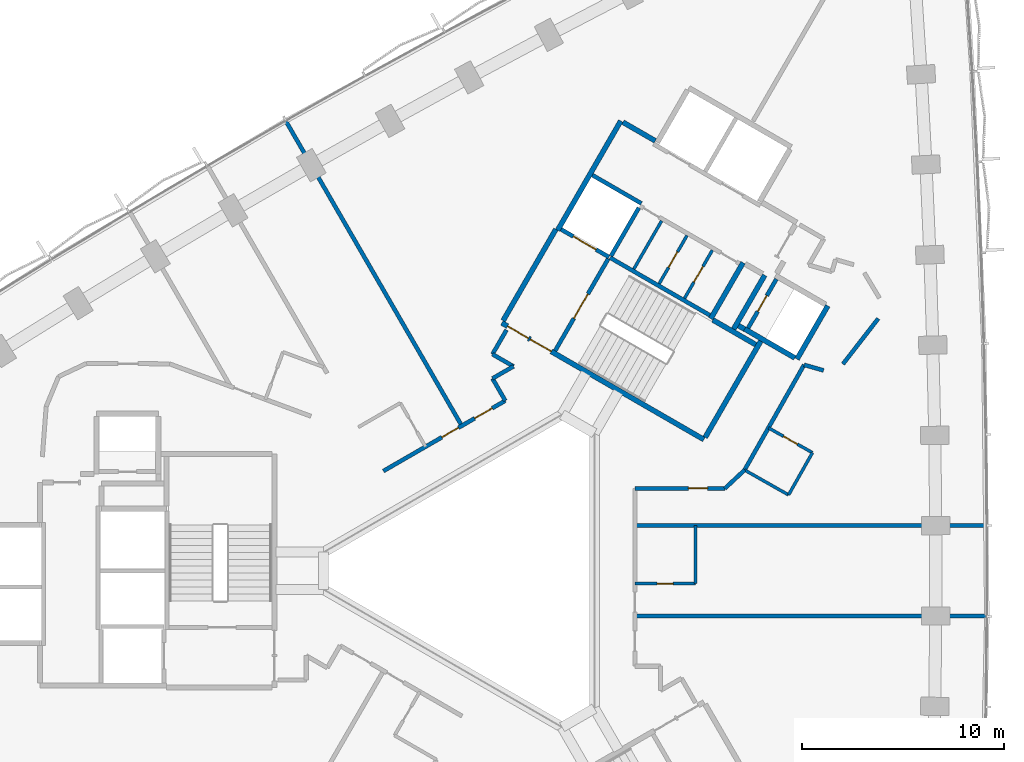
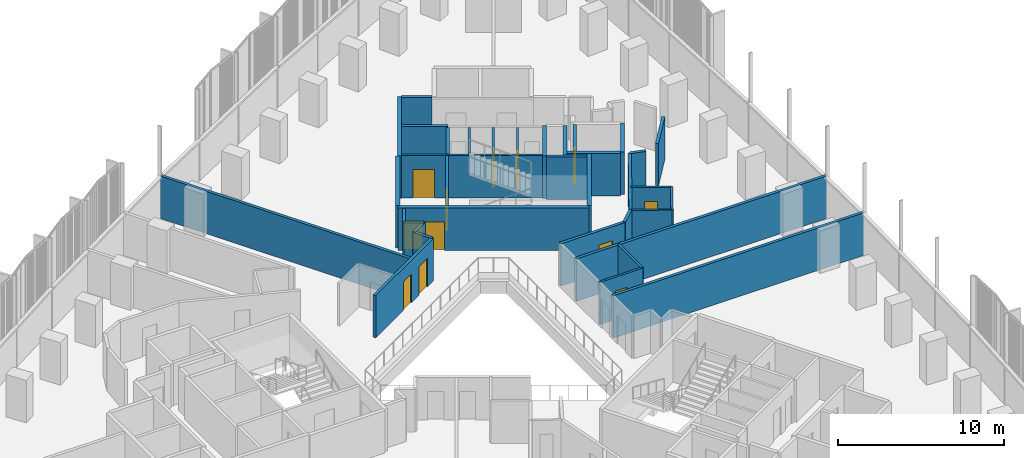
# One storey, part 12 of 16: 38 walls, 12 doors, 12 openings.
"""IFC4 building model written with IfcOpenShell, lengths in metres."""

from ifc_helpers import new_model, si_unit, direction, frame, frame_2d, origin, place, context, subcontext, project, spatial, rectangle, extrude, material, layer, layer_set, type_object, element, fill, save


model = new_model("IFC4")

# Units and contexts
model_context = context("Model", 3, precision=1e-05, world=origin(), true_north=direction((0.0, 1.0)))
body_context = subcontext(model_context, "Body", "Model", "MODEL_VIEW")
ifc_project = project(units=[si_unit("LENGTHUNIT", "METRE"), si_unit("AREAUNIT", "SQUARE_METRE"), si_unit("VOLUMEUNIT", "CUBIC_METRE"), si_unit("PLANEANGLEUNIT", "RADIAN"), si_unit("MASSUNIT", "GRAM", prefix="KILO")], contexts=[model_context])

# Site, building, storey
site_placement = place(None, origin())
site = spatial("IfcSite", under=ifc_project, at=site_placement, CompositionType="ELEMENT")
building_placement = place(site_placement, origin())
building = spatial("IfcBuilding", under=site, at=building_placement, Name="Tamra Quay Hotel Tower", CompositionType="ELEMENT")
storey_placement = place(building_placement, frame((0.0, 0.0, 45.800048828125)))
storey = spatial("IfcBuildingStorey", under=building, at=storey_placement, Name="L09", CompositionType="ELEMENT", Elevation=45.800048828125)

# Wall
ifc_material_1 = material(Name="Concrete M70", Category="concrete")
ifc_layer_1 = layer(ifc_material_1, 0.199951171875)
ifc_layer_set_1 = layer_set([ifc_layer_1], Name="Concrete M70 core wall 200")
wall_type_1 = type_object("IfcWallType", Name="Concrete M70 core wall 200", PredefinedType="SHEAR", material=ifc_layer_set_1)
wall_1_placement = place(storey_placement, frame((5.774658203125, 15.501953125, 0.0), z_axis=(0.0, 0.0, 1.0), x_axis=(0.866020080793, -0.500009219579, 0.0)))
element("IfcWall", 1, at=wall_1_placement, inside=storey, type_object=wall_type_1, Name="CW2", PredefinedType="SHEAR", context=body_context, shape_type="SweptSolid", body=[
    extrude(rectangle(XDim=5.69921875, YDim=0.199951171875, at=frame_2d((2.849609375, 0.0))), origin(), (0.0, 0.0, 1.0), 3.125),
])

# Wall, opening, door
wall_2_placement = place(storey_placement, frame((3.056640625, 10.89453125, 0.0), z_axis=(0.0, 0.0, 1.0), x_axis=(0.499989418164, 0.866031513124, 0.0)))
wall_2 = element("IfcWall", 2, at=wall_2_placement, inside=storey, type_object=wall_type_1, Name="CW2", PredefinedType="SHEAR", context=body_context, shape_type="SweptSolid", body=[
    extrude(rectangle(XDim=5.2509765625, YDim=0.199951171875, at=frame_2d((2.62548828125, 0.0))), origin(), (0.0, 0.0, 1.0), 3.125),
])
opening_1_placement = place(wall_2_placement, frame((1.84912109375, 0.0, 0.0)))
opening_1 = element("IfcOpeningElement", 3, at=opening_1_placement, cuts=wall_2, Name="Opening FD2", PredefinedType="OPENING", context=body_context, shape_type="SweptSolid", body=[
    extrude(rectangle(XDim=1.39990234375, YDim=2.10009765625, at=frame_2d((0.699951171875, 1.050048828125))), frame((0.0, 0.10986328125, 0.0), z_axis=(0.0, -1.0, 0.0), x_axis=(1.0, 0.0, 0.0)), (0.0, 0.0, 1.0), 0.219970703125),
])
ifc_material_2 = material(Name="Core door FD2 1400x2100 RH")
door_type_1 = type_object("IfcDoorType", Name="Core door FD2 1400x2100 RH", OperationType="NOTDEFINED", PredefinedType="DOOR", material=ifc_material_2)
door_1_placement = place(opening_1_placement, origin())
door_1 = element("IfcDoor", 4, at=door_1_placement, inside=storey, type_object=door_type_1, Name="FD2", OperationType="SINGLE_SWING_RIGHT", OverallHeight=2.10009765625, OverallWidth=1.39990234375, PredefinedType="DOOR", context=body_context, shape_type="SweptSolid", body=[
    extrude(rectangle(XDim=1.39990234375, YDim=2.10009765625, at=frame_2d((0.699951171875, 1.050048828125))), frame((0.0, 0.02490234375, 0.0), z_axis=(0.0, -1.0, 0.0), x_axis=(1.0, 0.0, 0.0)), (0.0, 0.0, 1.0), 0.050048828125),
])
fill(opening_1, door_1)

wall_3_placement = place(storey_placement, frame((14.0078125, 14.442138671875, 0.0), z_axis=(0.0, 0.0, 1.0), x_axis=(-0.499986818241, -0.866033014143, 0.0)))
wall_3 = element("IfcWall", 5, at=wall_3_placement, inside=storey, type_object=wall_type_1, Name="CW2", PredefinedType="SHEAR", context=body_context, shape_type="SweptSolid", body=[
    extrude(rectangle(XDim=2.7978515625, YDim=0.199951171875, at=frame_2d((1.39892578125, 0.0))), origin(), (0.0, 0.0, 1.0), 3.125),
])
opening_2_placement = place(wall_3_placement, frame((0.948974609375, 0.0, 0.0)))
opening_2 = element("IfcOpeningElement", 6, at=opening_2_placement, cuts=wall_3, Name="Opening D1", PredefinedType="OPENING", context=body_context, shape_type="SweptSolid", body=[
    extrude(rectangle(XDim=0.89990234375, YDim=2.10009765625, at=frame_2d((0.449951171875, 1.050048828125))), frame((0.0, 0.10986328125, 0.0), z_axis=(0.0, -1.0, 0.0), x_axis=(1.0, 0.0, 0.0)), (0.0, 0.0, 1.0), 0.219970703125),
])
ifc_material_3 = material(Name="Core door D1 900x2100 LH")
door_type_2 = type_object("IfcDoorType", Name="Core door D1 900x2100 LH", OperationType="NOTDEFINED", PredefinedType="DOOR", material=ifc_material_3)
door_2_placement = place(opening_2_placement, origin())
door_2 = element("IfcDoor", 7, at=door_2_placement, inside=storey, type_object=door_type_2, Name="D1", OperationType="SINGLE_SWING_LEFT", OverallHeight=2.10009765625, OverallWidth=0.89990234375, PredefinedType="DOOR", context=body_context, shape_type="SweptSolid", body=[
    extrude(rectangle(XDim=0.89990234375, YDim=2.10009765625, at=frame_2d((0.449951171875, 1.050048828125))), frame((0.0, 0.02490234375, 0.0), z_axis=(0.0, -1.0, 0.0), x_axis=(1.0, 0.0, 0.0)), (0.0, 0.0, 1.0), 0.050048828125),
])
fill(opening_2, door_2)

# Wall
wall_4_placement = place(storey_placement, frame((7.199462890625, 17.969970703125, 0.0), z_axis=(0.0, 0.0, 1.0), x_axis=(-0.499968400327, -0.866043647095, 0.0)))
element("IfcWall", 8, at=wall_4_placement, inside=storey, type_object=wall_type_1, Name="CW2", PredefinedType="SHEAR", context=body_context, shape_type="SweptSolid", body=[
    extrude(rectangle(XDim=2.749755859375, YDim=0.199951171875, at=frame_2d((1.375, 0.0))), origin(), (0.0, 0.0, 1.0), 3.125),
])

# Wall, opening, door
wall_5_placement = place(storey_placement, frame((5.72509765625, 15.530517578125, 0.0), z_axis=(0.0, 0.0, 1.0), x_axis=(-0.866037306777, 0.499979382845, 0.0)))
wall_5 = element("IfcWall", 9, at=wall_5_placement, inside=storey, type_object=wall_type_1, Name="CW2", PredefinedType="SHEAR", context=body_context, shape_type="SweptSolid", body=[
    extrude(rectangle(XDim=2.74169921875, YDim=0.199951171875, at=frame_2d((1.370849609375, 0.0))), origin(), (0.0, 0.0, 1.0), 3.125),
])
opening_3_placement = place(wall_5_placement, frame((0.742919921875, 0.0, 0.0)))
opening_3 = element("IfcOpeningElement", 10, at=opening_3_placement, cuts=wall_5, Name="Opening LD", PredefinedType="OPENING", context=body_context, shape_type="SweptSolid", body=[
    extrude(rectangle(XDim=1.300048828125, YDim=2.10009765625, at=frame_2d((0.64990234375, 1.050048828125))), frame((0.0, 0.10986328125, 0.0), z_axis=(0.0, -1.0, 0.0), x_axis=(1.0, 0.0, 0.0)), (0.0, 0.0, 1.0), 0.219970703125),
])
ifc_material_4 = material(Name="Landing door LD 1300 sliding to right")
door_type_3 = type_object("IfcDoorType", Name="Landing door LD 1300 sliding to right", OperationType="NOTDEFINED", PredefinedType="DOOR", material=ifc_material_4)
door_3_placement = place(opening_3_placement, origin())
door_3 = element("IfcDoor", 11, at=door_3_placement, inside=storey, type_object=door_type_3, Name="LD", OperationType="SLIDING_TO_RIGHT", OverallHeight=2.10009765625, OverallWidth=1.300048828125, PredefinedType="DOOR", context=body_context, shape_type="SweptSolid", body=[
    extrude(rectangle(XDim=1.300048828125, YDim=2.10009765625, at=frame_2d((0.64990234375, 1.050048828125))), frame((0.0, 0.02490234375, 0.0), z_axis=(0.0, -1.0, 0.0), x_axis=(1.0, 0.0, 0.0)), (0.0, 0.0, 1.0), 0.050048828125),
])
fill(opening_3, door_3)

# Wall
wall_6_placement = place(storey_placement, frame((4.900634765625, 19.5859375, 0.0), z_axis=(0.0, 0.0, 1.0), x_axis=(0.866022890907, -0.500004352405, 0.0)))
element("IfcWall", 12, at=wall_6_placement, inside=storey, type_object=wall_type_1, Name="CW2", PredefinedType="SHEAR", context=body_context, shape_type="SweptSolid", body=[
    extrude(rectangle(XDim=2.798828125, YDim=0.199951171875, at=frame_2d((1.3994140625, 0.0))), origin(), (0.0, 0.0, 1.0), 3.125),
])

# Wall, openings, doors
ifc_layer_2 = layer(ifc_material_1, 0.25)
ifc_layer_set_2 = layer_set([ifc_layer_2], Name="Concrete M70 core wall 250")
wall_type_2 = type_object("IfcWallType", Name="Concrete M70 core wall 250", PredefinedType="SHEAR", material=ifc_layer_set_2)
wall_7_placement = place(storey_placement, frame((10.419921875, 6.497802734375, 0.0), z_axis=(0.0, 0.0, 1.0), x_axis=(-0.866021906294, 0.500006057782, 0.0)))
wall_7 = element("IfcWall", 13, at=wall_7_placement, inside=storey, type_object=wall_type_2, Name="CW1", PredefinedType="SHEAR", context=body_context, shape_type="SweptSolid", body=[
    extrude(rectangle(XDim=11.550048828125, YDim=0.25, at=frame_2d((5.77490234375, 0.0))), origin(), (0.0, 0.0, 1.0), 3.125),
])
opening_4_placement = place(wall_7_placement, frame((10.02490234375, 0.0, 0.0)))
opening_4 = element("IfcOpeningElement", 14, at=opening_4_placement, cuts=wall_7, Name="Opening FD1", PredefinedType="OPENING", context=body_context, shape_type="SweptSolid", body=[
    extrude(rectangle(XDim=1.199951171875, YDim=2.10009765625, at=frame_2d((0.60009765625, 1.050048828125))), frame((0.0, 0.135009765625, 0.0), z_axis=(0.0, -1.0, 0.0), x_axis=(1.0, 0.0, 0.0)), (0.0, 0.0, 1.0), 0.27001953125),
])
opening_5_placement = place(wall_7_placement, frame((8.724853515625, 0.0, 0.0)))
opening_5 = element("IfcOpeningElement", 15, at=opening_5_placement, cuts=wall_7, Name="Opening FD1", PredefinedType="OPENING", context=body_context, shape_type="SweptSolid", body=[
    extrude(rectangle(XDim=1.199951171875, YDim=2.10009765625, at=frame_2d((0.60009765625, 1.050048828125))), frame((0.0, 0.135009765625, 0.0), z_axis=(0.0, -1.0, 0.0), x_axis=(1.0, 0.0, 0.0)), (0.0, 0.0, 1.0), 0.27001953125),
])
ifc_material_5 = material(Name="Core door FD1 1200x2100 LH")
door_type_4 = type_object("IfcDoorType", Name="Core door FD1 1200x2100 LH", OperationType="NOTDEFINED", PredefinedType="DOOR", material=ifc_material_5)
door_4_placement = place(opening_4_placement, origin())
door_4 = element("IfcDoor", 16, at=door_4_placement, inside=storey, type_object=door_type_4, Name="FD1", OperationType="SINGLE_SWING_LEFT", OverallHeight=2.10009765625, OverallWidth=1.199951171875, PredefinedType="DOOR", context=body_context, shape_type="SweptSolid", body=[
    extrude(rectangle(XDim=1.199951171875, YDim=2.10009765625, at=frame_2d((0.60009765625, 1.050048828125))), frame((0.0, 0.02490234375, 0.0), z_axis=(0.0, -1.0, 0.0), x_axis=(1.0, 0.0, 0.0)), (0.0, 0.0, 1.0), 0.050048828125),
])
fill(opening_4, door_4)
ifc_material_6 = material(Name="Core door FD1 1200x2100 RH")
door_type_5 = type_object("IfcDoorType", Name="Core door FD1 1200x2100 RH", OperationType="NOTDEFINED", PredefinedType="DOOR", material=ifc_material_6)
door_5_placement = place(opening_5_placement, origin())
door_5 = element("IfcDoor", 17, at=door_5_placement, inside=storey, type_object=door_type_5, Name="FD1", OperationType="SINGLE_SWING_RIGHT", OverallHeight=2.10009765625, OverallWidth=1.199951171875, PredefinedType="DOOR", context=body_context, shape_type="SweptSolid", body=[
    extrude(rectangle(XDim=1.199951171875, YDim=2.10009765625, at=frame_2d((0.60009765625, 1.050048828125))), frame((0.0, 0.02490234375, 0.0), z_axis=(0.0, -1.0, 0.0), x_axis=(1.0, 0.0, 0.0)), (0.0, 0.0, 1.0), 0.050048828125),
])
fill(opening_5, door_5)

# Walls
wall_8_placement = place(storey_placement, frame((3.178955078125, 16.856201171875, 0.0), z_axis=(0.0, 0.0, 1.0), x_axis=(0.500004234368, 0.866022959057, 0.0)))
element("IfcWall", 18, at=wall_8_placement, inside=storey, type_object=wall_type_2, Name="CW1", PredefinedType="SHEAR", context=body_context, shape_type="SweptSolid", body=[
    extrude(rectangle(XDim=6.25, YDim=0.25, at=frame_2d((3.125, 0.0))), origin(), (0.0, 0.0, 1.0), 3.125),
])
wall_9_placement = place(storey_placement, frame((0.47998046875, 12.38134765625, 0.0), z_axis=(0.0, 0.0, 1.0), x_axis=(0.49999885962, 0.866026062182, 0.0)))
element("IfcWall", 19, at=wall_9_placement, inside=storey, type_object=wall_type_2, Name="CW1", PredefinedType="SHEAR", context=body_context, shape_type="SweptSolid", body=[
    extrude(rectangle(XDim=5.224609375, YDim=0.25, at=frame_2d((2.6123046875, 0.0))), origin(), (0.0, 0.0, 1.0), 3.125),
])
wall_10_placement = place(storey_placement, frame((13.237548828125, 11.3779296875, 0.0), z_axis=(0.0, 0.0, 1.0), x_axis=(-0.500008851346, -0.866020293397, 0.0)))
element("IfcWall", 20, at=wall_10_placement, inside=storey, type_object=wall_type_2, Name="CW1", PredefinedType="SHEAR", context=body_context, shape_type="SweptSolid", body=[
    extrude(rectangle(XDim=5.509765625, YDim=0.25, at=frame_2d((2.7548828125, 0.0))), origin(), (0.0, 0.0, 1.0), 3.125),
])
wall_11_placement = place(storey_placement, frame((12.356689453125, 15.25244140625, 0.0), z_axis=(0.0, 0.0, 1.0), x_axis=(-0.500028443584, -0.866008981251, 0.0)))
element("IfcWall", 21, at=wall_11_placement, inside=storey, type_object=wall_type_2, Name="CW1", PredefinedType="SHEAR", context=body_context, shape_type="SweptSolid", body=[
    extrude(rectangle(XDim=3.199951171875, YDim=0.25, at=frame_2d((1.60009765625, 0.0))), origin(), (0.0, 0.0, 1.0), 3.125),
])
wall_12_placement = place(storey_placement, frame((16.552001953125, 13.118896484375, 0.0), z_axis=(0.0, 0.0, 1.0), x_axis=(-0.499978833458, -0.866037623948, 0.0)))
element("IfcWall", 22, at=wall_12_placement, inside=storey, type_object=wall_type_2, Name="CW1", PredefinedType="SHEAR", context=body_context, shape_type="SweptSolid", body=[
    extrude(rectangle(XDim=3.050048828125, YDim=0.25, at=frame_2d((1.52490234375, 0.0))), origin(), (0.0, 0.0, 1.0), 3.125),
])
wall_13_placement = place(storey_placement, frame((14.91845703125, 10.540283203125, 0.0), z_axis=(0.0, 0.0, 1.0), x_axis=(-0.866063538972, 0.499933942099, 0.0)))
element("IfcWall", 23, at=wall_13_placement, inside=storey, type_object=wall_type_2, Name="CW1", PredefinedType="SHEAR", context=body_context, shape_type="SweptSolid", body=[
    extrude(rectangle(XDim=2.86474609375, YDim=0.25, at=frame_2d((1.432373046875, 0.0))), origin(), (0.0, 0.0, 1.0), 3.125),
])
wall_14_placement = place(storey_placement, frame((11.887939453125, 11.960693359375, 0.0), z_axis=(0.0, 0.0, 1.0), x_axis=(0.500003324108, 0.866023484601, 0.0)))
element("IfcWall", 24, at=wall_14_placement, inside=storey, type_object=wall_type_2, Name="CW1", PredefinedType="SHEAR", context=body_context, shape_type="SweptSolid", body=[
    extrude(rectangle(XDim=3.0849609375, YDim=0.25, at=frame_2d((1.54248046875, 0.0))), origin(), (0.0, 0.0, 1.0), 3.125),
])
wall_15_placement = place(storey_placement, frame((10.865234375, 12.41845703125, 0.0), z_axis=(0.0, 0.0, 1.0), x_axis=(0.866026229868, -0.499998569178, 0.0)))
element("IfcWall", 25, at=wall_15_placement, inside=storey, type_object=wall_type_2, Name="CW1", PredefinedType="SHEAR", context=body_context, shape_type="SweptSolid", body=[
    extrude(rectangle(XDim=2.44921875, YDim=0.25, at=frame_2d((1.224609375, 0.0))), origin(), (0.0, 0.0, 1.0), 3.125),
])
wall_16_placement = place(storey_placement, frame((6.41259765625, 22.2060546875, 0.0), z_axis=(0.0, 0.0, 1.0), x_axis=(0.866016279763, -0.500015802937, 0.0)))
element("IfcWall", 26, at=wall_16_placement, inside=storey, type_object=wall_type_2, Name="CW1", PredefinedType="SHEAR", context=body_context, shape_type="SweptSolid", body=[
    extrude(rectangle(XDim=1.84912109375, YDim=0.25, at=frame_2d((0.924560546875, 0.0))), origin(), (0.0, 0.0, 1.0), 3.125),
])
wall_17_placement = place(storey_placement, frame((12.4326171875, 11.9638671875, 0.0), z_axis=(0.0, 0.0, 1.0), x_axis=(-0.866055875208, 0.499947218231, 0.0)))
element("IfcWall", 27, at=wall_17_placement, inside=storey, type_object=wall_type_2, Name="CW1", PredefinedType="SHEAR", context=body_context, shape_type="SweptSolid", body=[
    extrude(rectangle(XDim=0.3447265625, YDim=0.25, at=frame_2d((0.17236328125, 0.0))), origin(), (0.0, 0.0, 1.0), 3.125),
])

# Wall, opening, door
ifc_material_7 = material(Name="Blockwork", Category="masonry")
ifc_layer_3 = layer(ifc_material_7, 0.14990234375)
ifc_layer_set_3 = layer_set([ifc_layer_3], Name="Core partition block 150")
wall_type_3 = type_object("IfcWallType", Name="Core partition block 150", PredefinedType="PARTITIONING", material=ifc_layer_set_3)
wall_18_placement = place(storey_placement, frame((9.462158203125, 13.4892578125, 0.0), z_axis=(0.0, 0.0, 1.0), x_axis=(0.50002746344, 0.86600954718, 0.0)))
wall_18 = element("IfcWall", 28, at=wall_18_placement, inside=storey, type_object=wall_type_3, Name="CP1", PredefinedType="PARTITIONING", context=body_context, shape_type="SweptSolid", body=[
    extrude(rectangle(XDim=2.748291015625, YDim=0.14990234375, at=frame_2d((1.3740234375, 0.0))), origin(), (0.0, 0.0, 1.0), 3.125),
])
opening_6_placement = place(wall_18_placement, frame((0.92431640625, 0.0, 0.0)))
opening_6 = element("IfcOpeningElement", 29, at=opening_6_placement, cuts=wall_18, Name="Opening D2", PredefinedType="OPENING", context=body_context, shape_type="SweptSolid", body=[
    extrude(rectangle(XDim=0.89990234375, YDim=2.10009765625, at=frame_2d((0.449951171875, 1.050048828125))), frame((0.0, 0.0849609375, 0.0), z_axis=(0.0, -1.0, 0.0), x_axis=(1.0, 0.0, 0.0)), (0.0, 0.0, 1.0), 0.169921875),
])
ifc_material_8 = material(Name="Core door D2 900x2100 RH")
door_type_6 = type_object("IfcDoorType", Name="Core door D2 900x2100 RH", OperationType="NOTDEFINED", PredefinedType="DOOR", material=ifc_material_8)
door_6_placement = place(opening_6_placement, origin())
door_6 = element("IfcDoor", 30, at=door_6_placement, inside=storey, type_object=door_type_6, Name="D2", OperationType="SINGLE_SWING_RIGHT", OverallHeight=2.10009765625, OverallWidth=0.89990234375, PredefinedType="DOOR", context=body_context, shape_type="SweptSolid", body=[
    extrude(rectangle(XDim=0.89990234375, YDim=2.10009765625, at=frame_2d((0.449951171875, 1.050048828125))), frame((0.0, 0.02490234375, 0.0), z_axis=(0.0, -1.0, 0.0), x_axis=(1.0, 0.0, 0.0)), (0.0, 0.0, 1.0), 0.050048828125),
])
fill(opening_6, door_6)

wall_19_placement = place(storey_placement, frame((8.20654296875, 14.214111328125, 0.0), z_axis=(0.0, 0.0, 1.0), x_axis=(0.499922376475, 0.866070215109, 0.0)))
wall_19 = element("IfcWall", 31, at=wall_19_placement, inside=storey, type_object=wall_type_3, Name="CP1", PredefinedType="PARTITIONING", context=body_context, shape_type="SweptSolid", body=[
    extrude(rectangle(XDim=2.74853515625, YDim=0.14990234375, at=frame_2d((1.374267578125, 0.0))), origin(), (0.0, 0.0, 1.0), 3.125),
])
opening_7_placement = place(wall_19_placement, frame((0.92431640625, 0.0, 0.0)))
opening_7 = element("IfcOpeningElement", 32, at=opening_7_placement, cuts=wall_19, Name="Opening D2", PredefinedType="OPENING", context=body_context, shape_type="SweptSolid", body=[
    extrude(rectangle(XDim=0.89990234375, YDim=2.10009765625, at=frame_2d((0.449951171875, 1.050048828125))), frame((0.0, 0.0849609375, 0.0), z_axis=(0.0, -1.0, 0.0), x_axis=(1.0, 0.0, 0.0)), (0.0, 0.0, 1.0), 0.169921875),
])
ifc_material_9 = material(Name="Core door D2 900x2100 LH")
door_type_7 = type_object("IfcDoorType", Name="Core door D2 900x2100 LH", OperationType="NOTDEFINED", PredefinedType="DOOR", material=ifc_material_9)
door_7_placement = place(opening_7_placement, origin())
door_7 = element("IfcDoor", 33, at=door_7_placement, inside=storey, type_object=door_type_7, Name="D2", OperationType="SINGLE_SWING_LEFT", OverallHeight=2.10009765625, OverallWidth=0.89990234375, PredefinedType="DOOR", context=body_context, shape_type="SweptSolid", body=[
    extrude(rectangle(XDim=0.89990234375, YDim=2.10009765625, at=frame_2d((0.449951171875, 1.050048828125))), frame((0.0, 0.02490234375, 0.0), z_axis=(0.0, -1.0, 0.0), x_axis=(1.0, 0.0, 0.0)), (0.0, 0.0, 1.0), 0.050048828125),
])
fill(opening_7, door_7)

# Wall
wall_20_placement = place(storey_placement, frame((6.95068359375, 14.939208984375, 0.0), z_axis=(0.0, 0.0, 1.0), x_axis=(0.50002746344, 0.86600954718, 0.0)))
element("IfcWall", 34, at=wall_20_placement, inside=storey, type_object=wall_type_3, Name="CP1", PredefinedType="PARTITIONING", context=body_context, shape_type="SweptSolid", body=[
    extrude(rectangle(XDim=2.748291015625, YDim=0.14990234375, at=frame_2d((1.3740234375, 0.0))), origin(), (0.0, 0.0, 1.0), 3.125),
])

# Wall, openings, doors
ifc_material_10 = material(Name="Partition corridor wall")
ifc_layer_4 = layer(ifc_material_10, 0.199951171875)
ifc_layer_set_4 = layer_set([ifc_layer_4], Name="Partition corridor wall")
wall_type_4 = type_object("IfcWallType", Name="Partition corridor wall", PredefinedType="PARTITIONING", material=ifc_layer_set_4)
wall_21_placement = place(storey_placement, frame((-5.4462890625, 4.939697265625, 0.0), z_axis=(0.0, 0.0, 1.0), x_axis=(0.866096332545, 0.499877127655, 0.0)))
wall_21 = element("IfcWall", 35, at=wall_21_placement, inside=storey, type_object=wall_type_4, Name="W-C", PredefinedType="PARTITIONING", context=body_context, shape_type="SweptSolid", body=[
    extrude(rectangle(XDim=6.968505859375, YDim=0.199951171875, at=frame_2d((3.484375, 0.0))), origin(), (0.0, 0.0, 1.0), 3.125),
])
opening_8_placement = place(wall_21_placement, frame((5.21923828125, 0.0, 0.0)))
opening_8 = element("IfcOpeningElement", 36, at=opening_8_placement, cuts=wall_21, Name="Opening L09-D006", PredefinedType="OPENING", context=body_context, shape_type="SweptSolid", body=[
    extrude(rectangle(XDim=1.0, YDim=2.10009765625, at=frame_2d((0.5, 1.050048828125))), frame((0.0, 0.10986328125, 0.0), z_axis=(0.0, -1.0, 0.0), x_axis=(1.0, 0.0, 0.0)), (0.0, 0.0, 1.0), 0.219970703125),
])
opening_9_placement = place(wall_21_placement, frame((3.343994140625, 0.0, 0.0)))
opening_9 = element("IfcOpeningElement", 37, at=opening_9_placement, cuts=wall_21, Name="Opening L09-D007", PredefinedType="OPENING", context=body_context, shape_type="SweptSolid", body=[
    extrude(rectangle(XDim=0.949951171875, YDim=2.10009765625, at=frame_2d((0.47509765625, 1.050048828125))), frame((0.0, 0.10986328125, 0.0), z_axis=(0.0, -1.0, 0.0), x_axis=(1.0, 0.0, 0.0)), (0.0, 0.0, 1.0), 0.219970703125),
])
ifc_material_11 = material(Name="Door guest room 1000x2100")
door_type_8 = type_object("IfcDoorType", Name="Door guest room 1000x2100", OperationType="NOTDEFINED", PredefinedType="DOOR", material=ifc_material_11)
door_8_placement = place(opening_8_placement, origin())
door_8 = element("IfcDoor", 38, at=door_8_placement, inside=storey, type_object=door_type_8, Name="L09-D006", OperationType="SINGLE_SWING_LEFT", OverallHeight=2.10009765625, OverallWidth=1.0, PredefinedType="DOOR", context=body_context, shape_type="SweptSolid", body=[
    extrude(rectangle(XDim=1.0, YDim=2.10009765625, at=frame_2d((0.5, 1.050048828125))), frame((0.0, 0.02490234375, 0.0), z_axis=(0.0, -1.0, 0.0), x_axis=(1.0, 0.0, 0.0)), (0.0, 0.0, 1.0), 0.050048828125),
])
fill(opening_8, door_8)
ifc_material_12 = material(Name="Door guest room 950x2100")
door_type_9 = type_object("IfcDoorType", Name="Door guest room 950x2100", OperationType="NOTDEFINED", PredefinedType="DOOR", material=ifc_material_12)
door_9_placement = place(opening_9_placement, origin())
door_9 = element("IfcDoor", 39, at=door_9_placement, inside=storey, type_object=door_type_9, Name="L09-D007", OperationType="SINGLE_SWING_LEFT", OverallHeight=2.10009765625, OverallWidth=0.949951171875, PredefinedType="DOOR", context=body_context, shape_type="SweptSolid", body=[
    extrude(rectangle(XDim=0.949951171875, YDim=2.10009765625, at=frame_2d((0.47509765625, 1.050048828125))), frame((0.0, 0.02490234375, 0.0), z_axis=(0.0, -1.0, 0.0), x_axis=(1.0, 0.0, 0.0)), (0.0, 0.0, 1.0), 0.050048828125),
])
fill(opening_9, door_9)

# Walls
wall_22_placement = place(storey_placement, frame((-0.044921875, 9.52197265625, 0.0), z_axis=(0.0, 0.0, 1.0), x_axis=(0.86625675314, 0.499599076899, 0.0)))
element("IfcWall", 40, at=wall_22_placement, inside=storey, type_object=wall_type_4, Name="W-C", PredefinedType="PARTITIONING", context=body_context, shape_type="SweptSolid", body=[
    extrude(rectangle(XDim=1.19921875, YDim=0.199951171875, at=frame_2d((0.599609375, 0.0))), origin(), (0.0, 0.0, 1.0), 3.125),
])
wall_23_placement = place(storey_placement, frame((-0.044921875, 10.721923828125, 0.0), z_axis=(0.0, 0.0, 1.0), x_axis=(0.500107785535, 0.865963164833, 0.0)))
element("IfcWall", 41, at=wall_23_placement, inside=storey, type_object=wall_type_4, Name="W-C", PredefinedType="PARTITIONING", context=body_context, shape_type="SweptSolid", body=[
    extrude(rectangle(XDim=1.389404296875, YDim=0.199951171875, at=frame_2d((0.69482421875, 0.0))), origin(), (0.0, 0.0, 1.0), 3.125),
])
wall_24_placement = place(storey_placement, frame((-0.044921875, 9.52099609375, 0.0), z_axis=(0.0, 0.0, 1.0), x_axis=(0.500094716449, -0.865970712311, 0.0)))
element("IfcWall", 42, at=wall_24_placement, inside=storey, type_object=wall_type_4, Name="W-C", PredefinedType="PARTITIONING", context=body_context, shape_type="SweptSolid", body=[
    extrude(rectangle(XDim=1.267822265625, YDim=0.199951171875, at=frame_2d((0.6337890625, 0.0))), origin(), (0.0, 0.0, 1.0), 3.125),
])
wall_25_placement = place(storey_placement, frame((-0.044921875, 10.720947265625, 0.0), z_axis=(0.0, 0.0, 1.0), x_axis=(0.865992388649, -0.500057179532, 0.0)))
element("IfcWall", 43, at=wall_25_placement, inside=storey, type_object=wall_type_4, Name="W-C", PredefinedType="PARTITIONING", context=body_context, shape_type="SweptSolid", body=[
    extrude(rectangle(XDim=1.199462890625, YDim=0.199951171875, at=frame_2d((0.599609375, 0.0))), origin(), (0.0, 0.0, 1.0), 3.125),
])

# Wall, opening, door
wall_26_placement = place(storey_placement, frame((7.0, 4.077880859375, 0.0), z_axis=(0.0, 0.0, 1.0), x_axis=(1.0, 0.0, 0.0)))
wall_26 = element("IfcWall", 44, at=wall_26_placement, inside=storey, type_object=wall_type_4, Name="W-C", PredefinedType="PARTITIONING", context=body_context, shape_type="SweptSolid", body=[
    extrude(rectangle(XDim=4.4580078125, YDim=0.199951171875, at=frame_2d((2.22900390625, 0.0))), origin(), (0.0, 0.0, 1.0), 3.125),
])
opening_10_placement = place(wall_26_placement, frame((2.64990234375, 0.0, 0.0)))
opening_10 = element("IfcOpeningElement", 45, at=opening_10_placement, cuts=wall_26, Name="Opening L09-D004", PredefinedType="OPENING", context=body_context, shape_type="SweptSolid", body=[
    extrude(rectangle(XDim=0.949951171875, YDim=2.10009765625, at=frame_2d((0.47509765625, 1.050048828125))), frame((0.0, 0.10986328125, 0.0), z_axis=(0.0, -1.0, 0.0), x_axis=(1.0, 0.0, 0.0)), (0.0, 0.0, 1.0), 0.219970703125),
])
door_10_placement = place(opening_10_placement, origin())
door_10 = element("IfcDoor", 46, at=door_10_placement, inside=storey, type_object=door_type_9, Name="L09-D004", OperationType="SINGLE_SWING_LEFT", OverallHeight=2.10009765625, OverallWidth=0.949951171875, PredefinedType="DOOR", context=body_context, shape_type="SweptSolid", body=[
    extrude(rectangle(XDim=0.949951171875, YDim=2.10009765625, at=frame_2d((0.47509765625, 1.050048828125))), frame((0.0, 0.02490234375, 0.0), z_axis=(0.0, -1.0, 0.0), x_axis=(1.0, 0.0, 0.0)), (0.0, 0.0, 1.0), 0.050048828125),
])
fill(opening_10, door_10)

# Walls
wall_27_placement = place(storey_placement, frame((11.4580078125, 4.077880859375, 0.0), z_axis=(0.0, 0.0, 1.0), x_axis=(0.729936032318, 0.683515463412, 0.0)))
element("IfcWall", 47, at=wall_27_placement, inside=storey, type_object=wall_type_4, Name="W-C", PredefinedType="PARTITIONING", context=body_context, shape_type="SweptSolid", body=[
    extrude(rectangle(XDim=1.3359375, YDim=0.199951171875, at=frame_2d((0.66796875, 0.0))), origin(), (0.0, 0.0, 1.0), 3.125),
])
wall_28_placement = place(storey_placement, frame((12.432373046875, 4.992431640625, 0.0), z_axis=(0.0, 0.0, 1.0), x_axis=(0.492790102015, 0.870148214591, 0.0)))
element("IfcWall", 48, at=wall_28_placement, inside=storey, type_object=wall_type_4, Name="W-C", PredefinedType="PARTITIONING", context=body_context, shape_type="SweptSolid", body=[
    extrude(rectangle(XDim=5.981201171875, YDim=0.199951171875, at=frame_2d((2.99072265625, 0.0))), origin(), (0.0, 0.0, 1.0), 3.125),
])
wall_29_placement = place(storey_placement, frame((15.3798828125, 10.197021484375, 0.0), z_axis=(0.0, 0.0, 1.0), x_axis=(0.961523947641, -0.274721127897, 0.0)))
element("IfcWall", 49, at=wall_29_placement, inside=storey, type_object=wall_type_4, Name="W-C", PredefinedType="PARTITIONING", context=body_context, shape_type="SweptSolid", body=[
    extrude(rectangle(XDim=1.000732421875, YDim=0.199951171875, at=frame_2d((0.50048828125, 0.0))), origin(), (0.0, 0.0, 1.0), 3.125),
])
wall_30_placement = place(storey_placement, frame((17.299072265625, 10.235107421875, 0.0), z_axis=(0.0, 0.0, 1.0), x_axis=(0.61377461522, 0.789481299153, 0.0)))
element("IfcWall", 50, at=wall_30_placement, inside=storey, type_object=wall_type_4, Name="W-C", PredefinedType="PARTITIONING", context=body_context, shape_type="SweptSolid", body=[
    extrude(rectangle(XDim=2.851318359375, YDim=0.199951171875, at=frame_2d((1.42578125, 0.0))), origin(), (0.0, 0.0, 1.0), 3.125),
])

# Wall, opening, door
ifc_material_13 = material(Name="Partition en-suite wall")
ifc_layer_5 = layer(ifc_material_13, 0.14990234375)
ifc_layer_set_5 = layer_set([ifc_layer_5], Name="Partition en-suite wall")
wall_type_5 = type_object("IfcWallType", Name="Partition en-suite wall", PredefinedType="PARTITIONING", material=ifc_layer_set_5)
wall_31_placement = place(storey_placement, frame((7.0, -0.635009765625, 0.0), z_axis=(0.0, 0.0, 1.0), x_axis=(1.0, 0.0, 0.0)))
wall_31 = element("IfcWall", 51, at=wall_31_placement, inside=storey, type_object=wall_type_5, Name="W-E", PredefinedType="PARTITIONING", context=body_context, shape_type="SweptSolid", body=[
    extrude(rectangle(XDim=3.0, YDim=0.14990234375, at=frame_2d((1.5, 0.0))), origin(), (0.0, 0.0, 1.0), 3.125),
])
opening_11_placement = place(wall_31_placement, frame((1.10009765625, 0.0, 0.0)))
opening_11 = element("IfcOpeningElement", 52, at=opening_11_placement, cuts=wall_31, Name="Opening L09-D003", PredefinedType="OPENING", context=body_context, shape_type="SweptSolid", body=[
    extrude(rectangle(XDim=0.800048828125, YDim=2.10009765625, at=frame_2d((0.39990234375, 1.050048828125))), frame((0.0, 0.0849609375, 0.0), z_axis=(0.0, -1.0, 0.0), x_axis=(1.0, 0.0, 0.0)), (0.0, 0.0, 1.0), 0.169921875),
])
ifc_material_14 = material(Name="Door en-suite 800x2100")
door_type_10 = type_object("IfcDoorType", Name="Door en-suite 800x2100", OperationType="NOTDEFINED", PredefinedType="DOOR", material=ifc_material_14)
door_11_placement = place(opening_11_placement, origin())
door_11 = element("IfcDoor", 53, at=door_11_placement, inside=storey, type_object=door_type_10, Name="L09-D003", OperationType="SINGLE_SWING_LEFT", OverallHeight=2.10009765625, OverallWidth=0.800048828125, PredefinedType="DOOR", context=body_context, shape_type="SweptSolid", body=[
    extrude(rectangle(XDim=0.800048828125, YDim=2.10009765625, at=frame_2d((0.39990234375, 1.050048828125))), frame((0.0, 0.02490234375, 0.0), z_axis=(0.0, -1.0, 0.0), x_axis=(1.0, 0.0, 0.0)), (0.0, 0.0, 1.0), 0.050048828125),
])
fill(opening_11, door_11)

# Walls
wall_32_placement = place(storey_placement, frame((10.0, -0.635009765625, 0.0), z_axis=(0.0, 0.0, 1.0), x_axis=(0.0, 1.0, 0.0)))
element("IfcWall", 54, at=wall_32_placement, inside=storey, type_object=wall_type_5, Name="W-E", PredefinedType="PARTITIONING", context=body_context, shape_type="SweptSolid", body=[
    extrude(rectangle(XDim=2.8701171875, YDim=0.14990234375, at=frame_2d((1.43505859375, 0.0))), origin(), (0.0, 0.0, 1.0), 3.125),
])
wall_33_placement = place(storey_placement, frame((12.43310546875, 4.990966796875, 0.0), z_axis=(0.0, 0.0, 1.0), x_axis=(0.870173052757, -0.49274624124, 0.0)))
element("IfcWall", 55, at=wall_33_placement, inside=storey, type_object=wall_type_5, Name="W-E", PredefinedType="PARTITIONING", context=body_context, shape_type="SweptSolid", body=[
    extrude(rectangle(XDim=2.498046875, YDim=0.14990234375, at=frame_2d((1.2490234375, 0.0))), origin(), (0.0, 0.0, 1.0), 3.125),
])

# Wall, opening, door
wall_34_placement = place(storey_placement, frame((13.618896484375, 7.075927734375, 0.0), z_axis=(0.0, 0.0, 1.0), x_axis=(0.870725399165, -0.491769538758, 0.0)))
wall_34 = element("IfcWall", 56, at=wall_34_placement, inside=storey, type_object=wall_type_5, Name="W-E", PredefinedType="PARTITIONING", context=body_context, shape_type="SweptSolid", body=[
    extrude(rectangle(XDim=2.48876953125, YDim=0.14990234375, at=frame_2d((1.244384765625, 0.0))), origin(), (0.0, 0.0, 1.0), 3.125),
])
opening_12_placement = place(wall_34_placement, frame((0.84521484375, 0.0, 0.0)))
opening_12 = element("IfcOpeningElement", 57, at=opening_12_placement, cuts=wall_34, Name="Opening L09-D005", PredefinedType="OPENING", context=body_context, shape_type="SweptSolid", body=[
    extrude(rectangle(XDim=0.800048828125, YDim=2.10009765625, at=frame_2d((0.39990234375, 1.050048828125))), frame((0.0, 0.0849609375, 0.0), z_axis=(0.0, -1.0, 0.0), x_axis=(1.0, 0.0, 0.0)), (0.0, 0.0, 1.0), 0.169921875),
])
door_12_placement = place(opening_12_placement, origin())
door_12 = element("IfcDoor", 58, at=door_12_placement, inside=storey, type_object=door_type_10, Name="L09-D005", OperationType="SINGLE_SWING_LEFT", OverallHeight=2.10009765625, OverallWidth=0.800048828125, PredefinedType="DOOR", context=body_context, shape_type="SweptSolid", body=[
    extrude(rectangle(XDim=0.800048828125, YDim=2.10009765625, at=frame_2d((0.39990234375, 1.050048828125))), frame((0.0, 0.02490234375, 0.0), z_axis=(0.0, -1.0, 0.0), x_axis=(1.0, 0.0, 0.0)), (0.0, 0.0, 1.0), 0.050048828125),
])
fill(opening_12, door_12)

# Walls
wall_35_placement = place(storey_placement, frame((14.613037109375, 3.763916015625, 0.0), z_axis=(0.0, 0.0, 1.0), x_axis=(0.492121164181, 0.870526713987, 0.0)))
element("IfcWall", 59, at=wall_35_placement, inside=storey, type_object=wall_type_5, Name="W-E", PredefinedType="PARTITIONING", context=body_context, shape_type="SweptSolid", body=[
    extrude(rectangle(XDim=2.3916015625, YDim=0.14990234375, at=frame_2d((1.19580078125, 0.0))), origin(), (0.0, 0.0, 1.0), 3.125),
])
ifc_material_15 = material(Name="Partition party wall")
ifc_layer_6 = layer(ifc_material_15, 0.199951171875)
ifc_layer_set_6 = layer_set([ifc_layer_6], Name="Partition party wall")
wall_type_6 = type_object("IfcWallType", Name="Partition party wall", PredefinedType="PARTITIONING", material=ifc_layer_set_6)
wall_36_placement = place(storey_placement, frame((-10.2763671875, 22.2705078125, 0.0), z_axis=(0.0, 0.0, 1.0), x_axis=(0.499958184216, -0.866049544793, 0.0)))
element("IfcWall", 60, at=wall_36_placement, inside=storey, type_object=wall_type_6, Name="W-P", PredefinedType="PARTITIONING", context=body_context, shape_type="SweptSolid", body=[
    extrude(rectangle(XDim=17.42236328125, YDim=0.199951171875, at=frame_2d((8.711181640625, 0.0))), origin(), (0.0, 0.0, 1.0), 3.125),
])
wall_37_placement = place(storey_placement, frame((7.0, 2.235107421875, 0.0), z_axis=(0.0, 0.0, 1.0), x_axis=(1.0, 0.0, 0.0)))
element("IfcWall", 61, at=wall_37_placement, inside=storey, type_object=wall_type_6, Name="W-P", PredefinedType="PARTITIONING", context=body_context, shape_type="SweptSolid", body=[
    extrude(rectangle(XDim=17.425048828125, YDim=0.199951171875, at=frame_2d((8.71240234375, 0.0))), origin(), (0.0, 0.0, 1.0), 3.125),
])
wall_38_placement = place(storey_placement, frame((7.0009765625, -2.235107421875, 0.0), z_axis=(0.0, 0.0, 1.0), x_axis=(1.0, 0.0, 0.0)))
element("IfcWall", 62, at=wall_38_placement, inside=storey, type_object=wall_type_6, Name="W-P", PredefinedType="PARTITIONING", context=body_context, shape_type="SweptSolid", body=[
    extrude(rectangle(XDim=17.424072265625, YDim=0.199951171875, at=frame_2d((8.7119140625, 0.0))), origin(), (0.0, 0.0, 1.0), 3.125),
])

save(model, "model.ifc")
